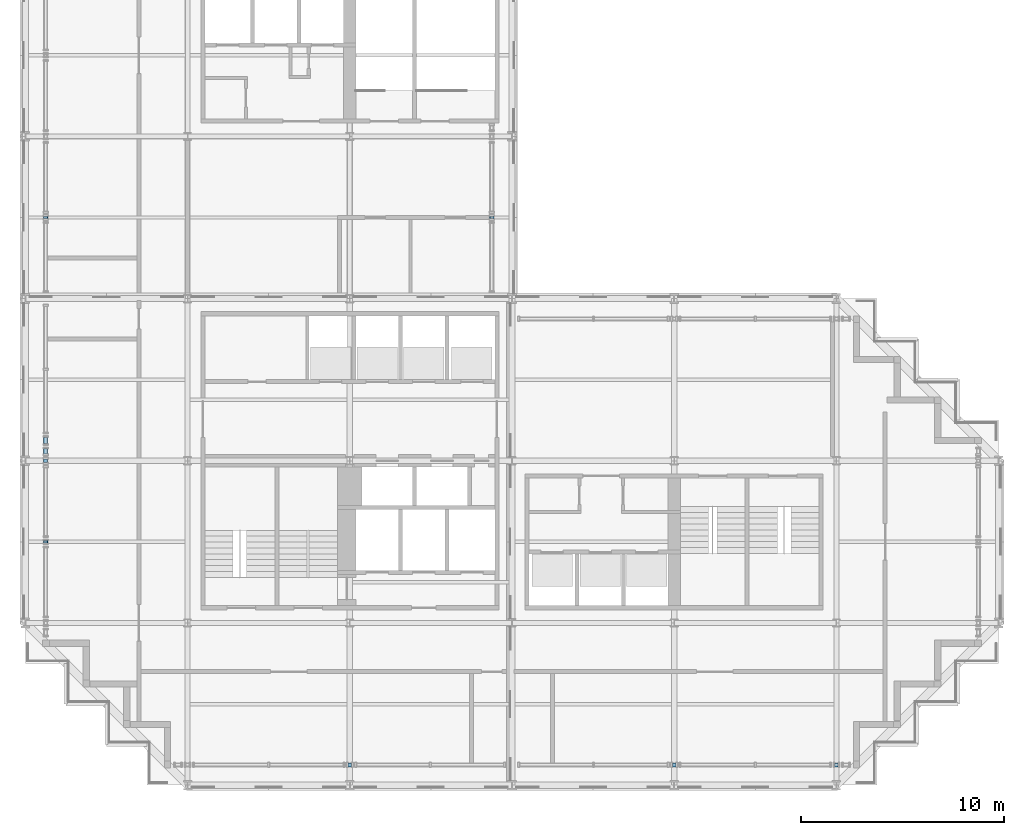
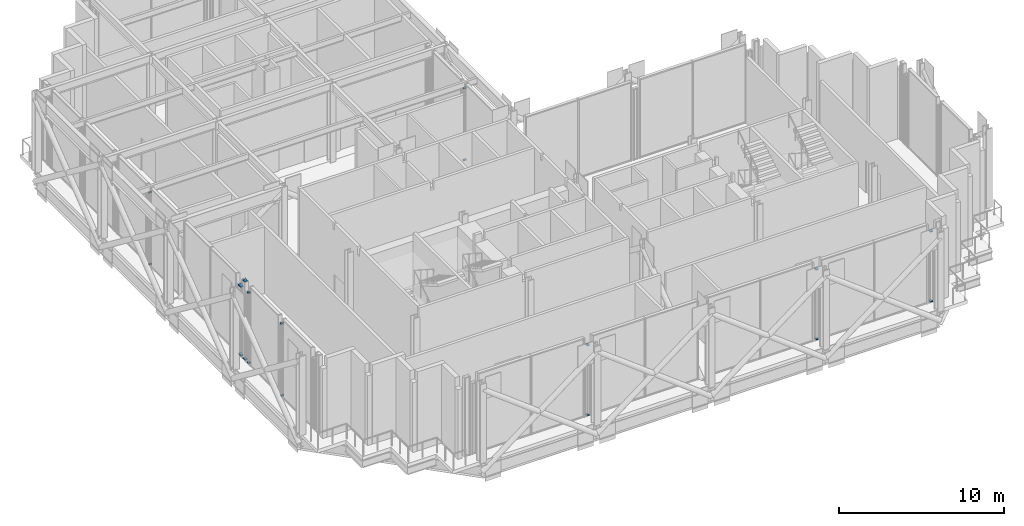
# One storey, part 7 of 23: 18 members, 9 elements without a shape of their own.
"""IFC4 building model written with IfcOpenShell, lengths in metres."""

from ifc_helpers import new_model, si_unit, direction, frame, origin, origin_2d, place, context, subcontext, project, spatial, rectangle, extrude, material, material_profile, profile_set, type_object, element, aggregate, save


model = new_model("IFC4")

# Units and contexts
model_context = context("Model", 3, precision=1e-05, world=origin(), true_north=direction((0.0, 1.0)))
body_context = subcontext(model_context, "Body", "Model", "MODEL_VIEW")
ifc_project = project(units=[si_unit("LENGTHUNIT", "METRE"), si_unit("AREAUNIT", "SQUARE_METRE"), si_unit("VOLUMEUNIT", "CUBIC_METRE"), si_unit("PLANEANGLEUNIT", "RADIAN"), si_unit("MASSUNIT", "GRAM", prefix="KILO")], contexts=[model_context])

# Site, building, storey
site_placement = place(None, origin())
site = spatial("IfcSite", under=ifc_project, at=site_placement, CompositionType="ELEMENT")
building_placement = place(site_placement, origin())
building = spatial("IfcBuilding", under=site, at=building_placement, Name="Immortelle Media Tower", CompositionType="ELEMENT")
storey_placement = place(building_placement, frame((0.0, 0.0, 183.0)))
storey = spatial("IfcBuildingStorey", under=building, at=storey_placement, Name="L38", CompositionType="ELEMENT", Elevation=183.0)

# Curtain wall, members
ifc_material_1 = material(Name="Aluminium curtain wall system", Category="aluminium")
curtain_wall_type = type_object("IfcCurtainWallType", Name="Plant louvre wall curtain wall", PredefinedType="NOTDEFINED", material=ifc_material_1)
curtain_wall_1_placement = place(storey_placement, origin())
curtain_wall_1 = element("IfcCurtainWall", 1, at=curtain_wall_1_placement, inside=storey, type_object=curtain_wall_type, Name="Plant louvre wall L38 S 7-5", PredefinedType="NOTDEFINED")
ifc_material_2 = material(Name="Aluminium 6063-T6", Category="aluminium")
ifc_material_profile = material_profile(ifc_material_2, rectangle(XDim=0.199951171875, YDim=0.080078125, at=origin_2d()), Name="AL 80x200")
ifc_profile_set = profile_set([ifc_material_profile], Name="Aluminium 6063-T6")
member_type = type_object("IfcMemberType", Name="Plant louvre wall transom 80 x 200", PredefinedType="USERDEFINED", material=ifc_profile_set)
member_1_placement = place(storey_placement, frame((15.916015625, 1.0, 0.0400390625), z_axis=(1.0, 0.0, 0.0), x_axis=(0.0, 1.0, 0.0)))
member_1 = element("IfcMember", 2, at=member_1_placement, type_object=member_type, Name="CW6 transom 1.1", ObjectType="TRANSOM", PredefinedType="USERDEFINED", context=body_context, shape_type="SweptSolid", body=[
    extrude(rectangle(XDim=0.199951171875, YDim=0.080078125, at=origin_2d()), origin(), (0.0, 0.0, 1.0), 0.16796875),
])
member_2_placement = place(storey_placement, frame((15.916015625, 1.0, 5.20751953125), z_axis=(1.0, 0.0, 0.0), x_axis=(0.0, 1.0, 0.0)))
member_2 = element("IfcMember", 3, at=member_2_placement, type_object=member_type, Name="CW6 transom 1.2", ObjectType="TRANSOM", PredefinedType="USERDEFINED", context=body_context, shape_type="SweptSolid", body=[
    extrude(rectangle(XDim=0.199951171875, YDim=0.080078125, at=origin_2d()), origin(), (0.0, 0.0, 1.0), 0.16796875),
])
aggregate(curtain_wall_1, [member_1, member_2])

curtain_wall_2_placement = place(storey_placement, origin())
curtain_wall_2 = element("IfcCurtainWall", 4, at=curtain_wall_2_placement, inside=storey, type_object=curtain_wall_type, Name="Plant louvre wall L38 S 7-8", PredefinedType="NOTDEFINED")
member_3_placement = place(storey_placement, frame((31.916015625, 1.0, 0.0400390625), z_axis=(1.0, 0.0, 0.0), x_axis=(0.0, 1.0, 0.0)))
member_3 = element("IfcMember", 5, at=member_3_placement, type_object=member_type, Name="CW6 transom 1.1", ObjectType="TRANSOM", PredefinedType="USERDEFINED", context=body_context, shape_type="SweptSolid", body=[
    extrude(rectangle(XDim=0.199951171875, YDim=0.080078125, at=origin_2d()), origin(), (0.0, 0.0, 1.0), 0.16796875),
])
member_4_placement = place(storey_placement, frame((31.916015625, 1.0, 5.20751953125), z_axis=(1.0, 0.0, 0.0), x_axis=(0.0, 1.0, 0.0)))
member_4 = element("IfcMember", 6, at=member_4_placement, type_object=member_type, Name="CW6 transom 1.2", ObjectType="TRANSOM", PredefinedType="USERDEFINED", context=body_context, shape_type="SweptSolid", body=[
    extrude(rectangle(XDim=0.199951171875, YDim=0.080078125, at=origin_2d()), origin(), (0.0, 0.0, 1.0), 0.16796875),
])
aggregate(curtain_wall_2, [member_3, member_4])

curtain_wall_3_placement = place(storey_placement, origin())
curtain_wall_3 = element("IfcCurtainWall", 7, at=curtain_wall_3_placement, inside=storey, type_object=curtain_wall_type, Name="Plant louvre wall L38 S 7-10", PredefinedType="NOTDEFINED")
member_5_placement = place(storey_placement, frame((39.916015625, 1.0, 0.0400390625), z_axis=(1.0, 0.0, 0.0), x_axis=(0.0, 1.0, 0.0)))
member_5 = element("IfcMember", 8, at=member_5_placement, type_object=member_type, Name="CW6 transom 1.1", ObjectType="TRANSOM", PredefinedType="USERDEFINED", context=body_context, shape_type="SweptSolid", body=[
    extrude(rectangle(XDim=0.199951171875, YDim=0.080078125, at=origin_2d()), origin(), (0.0, 0.0, 1.0), 0.16796875),
])
member_6_placement = place(storey_placement, frame((39.916015625, 1.0, 5.20751953125), z_axis=(1.0, 0.0, 0.0), x_axis=(0.0, 1.0, 0.0)))
member_6 = element("IfcMember", 9, at=member_6_placement, type_object=member_type, Name="CW6 transom 1.2", ObjectType="TRANSOM", PredefinedType="USERDEFINED", context=body_context, shape_type="SweptSolid", body=[
    extrude(rectangle(XDim=0.199951171875, YDim=0.080078125, at=origin_2d()), origin(), (0.0, 0.0, 1.0), 0.16796875),
])
aggregate(curtain_wall_3, [member_5, member_6])

curtain_wall_4_placement = place(storey_placement, origin())
curtain_wall_4 = element("IfcCurtainWall", 10, at=curtain_wall_4_placement, inside=storey, type_object=curtain_wall_type, Name="Plant louvre wall L38 E 22-3", PredefinedType="NOTDEFINED")
member_7_placement = place(storey_placement, frame((23.0, 27.95361328125, 0.0400390625), z_axis=(0.0, 1.0, 0.0), x_axis=(-1.0, 0.0, 0.0)))
member_7 = element("IfcMember", 11, at=member_7_placement, type_object=member_type, Name="CW6 transom 1.1", ObjectType="TRANSOM", PredefinedType="USERDEFINED", context=body_context, shape_type="SweptSolid", body=[
    extrude(rectangle(XDim=0.199951171875, YDim=0.080078125, at=origin_2d()), origin(), (0.0, 0.0, 1.0), 0.0927734375),
])
member_8_placement = place(storey_placement, frame((23.0, 27.95361328125, 5.3544921875), z_axis=(0.0, 1.0, 0.0), x_axis=(-1.0, 0.0, 0.0)))
member_8 = element("IfcMember", 12, at=member_8_placement, type_object=member_type, Name="CW6 transom 1.2", ObjectType="TRANSOM", PredefinedType="USERDEFINED", context=body_context, shape_type="SweptSolid", body=[
    extrude(rectangle(XDim=0.199951171875, YDim=0.080078125, at=origin_2d()), origin(), (0.0, 0.0, 1.0), 0.0927734375),
])
aggregate(curtain_wall_4, [member_7, member_8])

curtain_wall_5_placement = place(storey_placement, origin())
curtain_wall_5 = element("IfcCurtainWall", 13, at=curtain_wall_5_placement, inside=storey, type_object=curtain_wall_type, Name="Plant louvre wall L38 W 36-8", PredefinedType="NOTDEFINED")
member_9_placement = place(storey_placement, frame((1.0, 28.04638671875, 0.0400390625), z_axis=(0.0, -1.0, 0.0), x_axis=(1.0, 0.0, 0.0)))
member_9 = element("IfcMember", 14, at=member_9_placement, type_object=member_type, Name="CW6 transom 1.1", ObjectType="TRANSOM", PredefinedType="USERDEFINED", context=body_context, shape_type="SweptSolid", body=[
    extrude(rectangle(XDim=0.199951171875, YDim=0.080078125, at=origin_2d()), origin(), (0.0, 0.0, 1.0), 0.0927734375),
])
member_10_placement = place(storey_placement, frame((1.0, 28.04638671875, 5.3544921875), z_axis=(0.0, -1.0, 0.0), x_axis=(1.0, 0.0, 0.0)))
member_10 = element("IfcMember", 15, at=member_10_placement, type_object=member_type, Name="CW6 transom 1.2", ObjectType="TRANSOM", PredefinedType="USERDEFINED", context=body_context, shape_type="SweptSolid", body=[
    extrude(rectangle(XDim=0.199951171875, YDim=0.080078125, at=origin_2d()), origin(), (0.0, 0.0, 1.0), 0.0927734375),
])
aggregate(curtain_wall_5, [member_9, member_10])

curtain_wall_6_placement = place(storey_placement, origin())
curtain_wall_6 = element("IfcCurtainWall", 16, at=curtain_wall_6_placement, inside=storey, type_object=curtain_wall_type, Name="Plant louvre wall L38 W 36-11", PredefinedType="NOTDEFINED")
member_11_placement = place(storey_placement, frame((1.0, 17.151611328125, 0.0400390625), z_axis=(0.0, -1.0, 0.0), x_axis=(1.0, 0.0, 0.0)))
member_11 = element("IfcMember", 17, at=member_11_placement, type_object=member_type, Name="CW6 transom 1.1", ObjectType="TRANSOM", PredefinedType="USERDEFINED", context=body_context, shape_type="SweptSolid", body=[
    extrude(rectangle(XDim=0.199951171875, YDim=0.080078125, at=origin_2d()), origin(), (0.0, 0.0, 1.0), 0.30322265625),
])
member_12_placement = place(storey_placement, frame((1.0, 17.151611328125, 5.116455078125), z_axis=(0.0, -1.0, 0.0), x_axis=(1.0, 0.0, 0.0)))
member_12 = element("IfcMember", 18, at=member_12_placement, type_object=member_type, Name="CW6 transom 1.2", ObjectType="TRANSOM", PredefinedType="USERDEFINED", context=body_context, shape_type="SweptSolid", body=[
    extrude(rectangle(XDim=0.199951171875, YDim=0.080078125, at=origin_2d()), origin(), (0.0, 0.0, 1.0), 0.30322265625),
])
aggregate(curtain_wall_6, [member_11, member_12])

curtain_wall_7_placement = place(storey_placement, origin())
curtain_wall_7 = element("IfcCurtainWall", 19, at=curtain_wall_7_placement, inside=storey, type_object=curtain_wall_type, Name="Plant louvre wall L38 W 36-12", PredefinedType="NOTDEFINED")
member_13_placement = place(storey_placement, frame((1.0, 16.598388671875, 0.0400390625), z_axis=(0.0, -1.0, 0.0), x_axis=(1.0, 0.0, 0.0)))
member_13 = element("IfcMember", 20, at=member_13_placement, type_object=member_type, Name="CW6 transom 1.1", ObjectType="TRANSOM", PredefinedType="USERDEFINED", context=body_context, shape_type="SweptSolid", body=[
    extrude(rectangle(XDim=0.199951171875, YDim=0.080078125, at=origin_2d()), origin(), (0.0, 0.0, 1.0), 0.264404296875),
])
member_14_placement = place(storey_placement, frame((1.0, 16.598388671875, 5.8095703125), z_axis=(0.0, -1.0, 0.0), x_axis=(1.0, 0.0, 0.0)))
member_14 = element("IfcMember", 21, at=member_14_placement, type_object=member_type, Name="CW6 transom 1.2", ObjectType="TRANSOM", PredefinedType="USERDEFINED", context=body_context, shape_type="SweptSolid", body=[
    extrude(rectangle(XDim=0.199951171875, YDim=0.080078125, at=origin_2d()), origin(), (0.0, 0.0, 1.0), 0.264404296875),
])
aggregate(curtain_wall_7, [member_13, member_14])

curtain_wall_8_placement = place(storey_placement, origin())
curtain_wall_8 = element("IfcCurtainWall", 22, at=curtain_wall_8_placement, inside=storey, type_object=curtain_wall_type, Name="Plant louvre wall L38 W 36-13", PredefinedType="NOTDEFINED")
member_15_placement = place(storey_placement, frame((1.0, 16.083984375, 0.0400390625), z_axis=(0.0, -1.0, 0.0), x_axis=(1.0, 0.0, 0.0)))
member_15 = element("IfcMember", 23, at=member_15_placement, type_object=member_type, Name="CW6 transom 1.1", ObjectType="TRANSOM", PredefinedType="USERDEFINED", context=body_context, shape_type="SweptSolid", body=[
    extrude(rectangle(XDim=0.199951171875, YDim=0.080078125, at=origin_2d()), origin(), (0.0, 0.0, 1.0), 0.16796875),
])
member_16_placement = place(storey_placement, frame((1.0, 16.083984375, 5.20751953125), z_axis=(0.0, -1.0, 0.0), x_axis=(1.0, 0.0, 0.0)))
member_16 = element("IfcMember", 24, at=member_16_placement, type_object=member_type, Name="CW6 transom 1.2", ObjectType="TRANSOM", PredefinedType="USERDEFINED", context=body_context, shape_type="SweptSolid", body=[
    extrude(rectangle(XDim=0.199951171875, YDim=0.080078125, at=origin_2d()), origin(), (0.0, 0.0, 1.0), 0.16796875),
])
aggregate(curtain_wall_8, [member_15, member_16])

curtain_wall_9_placement = place(storey_placement, origin())
curtain_wall_9 = element("IfcCurtainWall", 25, at=curtain_wall_9_placement, inside=storey, type_object=curtain_wall_type, Name="Plant louvre wall L38 W 36-15", PredefinedType="NOTDEFINED")
member_17_placement = place(storey_placement, frame((1.0, 12.04638671875, 0.0400390625), z_axis=(0.0, -1.0, 0.0), x_axis=(1.0, 0.0, 0.0)))
member_17 = element("IfcMember", 26, at=member_17_placement, type_object=member_type, Name="CW6 transom 1.1", ObjectType="TRANSOM", PredefinedType="USERDEFINED", context=body_context, shape_type="SweptSolid", body=[
    extrude(rectangle(XDim=0.199951171875, YDim=0.080078125, at=origin_2d()), origin(), (0.0, 0.0, 1.0), 0.0927734375),
])
member_18_placement = place(storey_placement, frame((1.0, 12.04638671875, 5.3544921875), z_axis=(0.0, -1.0, 0.0), x_axis=(1.0, 0.0, 0.0)))
member_18 = element("IfcMember", 27, at=member_18_placement, type_object=member_type, Name="CW6 transom 1.2", ObjectType="TRANSOM", PredefinedType="USERDEFINED", context=body_context, shape_type="SweptSolid", body=[
    extrude(rectangle(XDim=0.199951171875, YDim=0.080078125, at=origin_2d()), origin(), (0.0, 0.0, 1.0), 0.0927734375),
])
aggregate(curtain_wall_9, [member_17, member_18])

save(model, "model.ifc")
